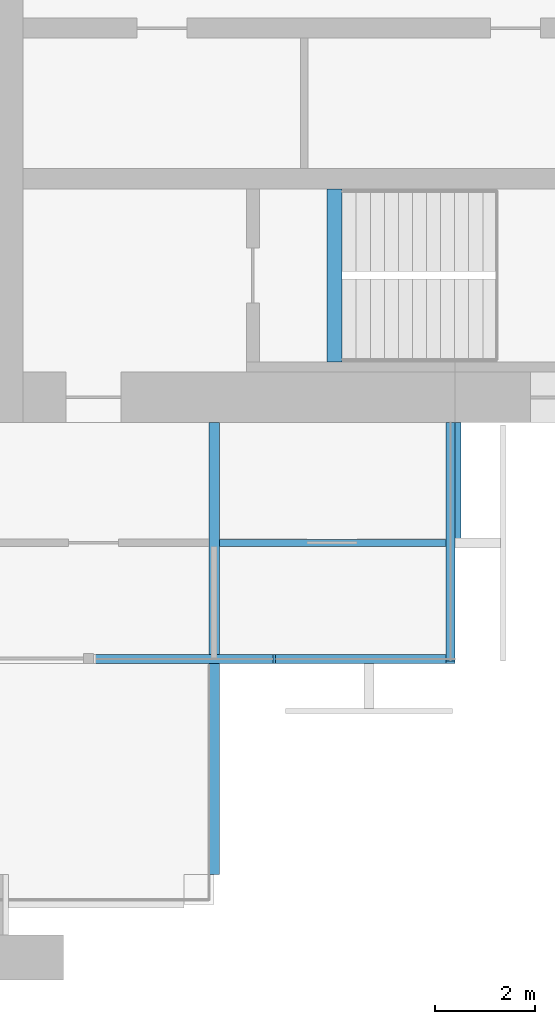
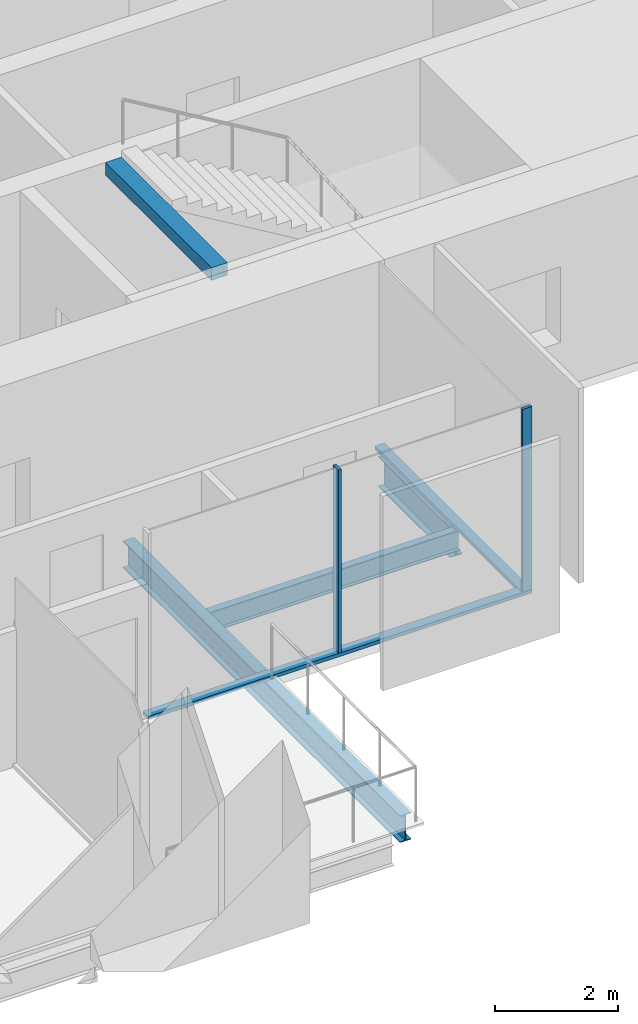
# One storey, part 4 of 13: 4 beams, 4 members, 2 elements without a shape of their own.
"""IFC4 building model written with IfcOpenShell, lengths in metres."""

from ifc_helpers import new_model, si_unit, direction, frame, origin, origin_2d, place, context, subcontext, project, spatial, rectangle, i_section, extrude, material, material_profile, profile_set, type_object, element, aggregate, save


model = new_model("IFC4")

# Units and contexts
model_context = context("Model", 3, precision=1e-05, world=origin(), true_north=direction((0.0, 1.0)))
body_context = subcontext(model_context, "Body", "Model", "MODEL_VIEW")
ifc_project = project(units=[si_unit("LENGTHUNIT", "METRE"), si_unit("AREAUNIT", "SQUARE_METRE"), si_unit("VOLUMEUNIT", "CUBIC_METRE"), si_unit("PLANEANGLEUNIT", "RADIAN"), si_unit("MASSUNIT", "GRAM", prefix="KILO")], contexts=[model_context])

# Site, building, storey
site_placement = place(None, origin())
site = spatial("IfcSite", under=ifc_project, at=site_placement, CompositionType="ELEMENT")
building_placement = place(site_placement, origin())
building = spatial("IfcBuilding", under=site, at=building_placement, Name="Baori Bourse Tower", CompositionType="ELEMENT")
storey_placement = place(building_placement, frame((0.0, 0.0, 172.10009765625)))
storey = spatial("IfcBuildingStorey", under=building, at=storey_placement, Name="L38", CompositionType="ELEMENT", Elevation=172.10009765625)

# Curtain wall, member
ifc_material_1 = material(Name="Pale anodised aluminium", Category="aluminium")
curtain_wall_type = type_object("IfcCurtainWallType", Name="CW2 Curtain wall", PredefinedType="NOTDEFINED", material=ifc_material_1)
curtain_wall_1_placement = place(storey_placement, origin())
curtain_wall_1 = element("IfcCurtainWall", 1, at=curtain_wall_1_placement, inside=storey, type_object=curtain_wall_type, Name="Curtain wall CW2 L38 13", PredefinedType="NOTDEFINED")
ifc_material_2 = material(Name="Pale anodised aluminium", Category="aluminium")
ifc_material_profile_1 = material_profile(ifc_material_2, rectangle(XDim=0.179931640625, YDim=0.054931640625, at=origin_2d()), Name="Mullion 55x180")
ifc_profile_set_1 = profile_set([ifc_material_profile_1], Name="Pale anodised aluminium")
member_type_1 = type_object("IfcMemberType", Name="CW2 Curtain wall mullion", PredefinedType="MULLION", material=ifc_profile_set_1)
member_1_placement = place(storey_placement, frame((44.39990234375, 4.889892578125, 0.06982421875), z_axis=(0.0, 0.0, 1.0), x_axis=(0.0, 1.0, 0.0)))
member_1 = element("IfcMember", 2, at=member_1_placement, type_object=member_type_1, Name="Curtain wall CW2 mullion", PredefinedType="MULLION", context=body_context, shape_type="SweptSolid", body=[
    extrude(rectangle(XDim=0.179931640625, YDim=0.054931640625, at=origin_2d()), origin(), (0.0, 0.0, 1.0), 3.630126953125),
])

curtain_wall_2_placement = place(storey_placement, origin())
curtain_wall_2 = element("IfcCurtainWall", 3, at=curtain_wall_2_placement, inside=storey, type_object=curtain_wall_type, Name="Curtain wall CW2 L38 14", PredefinedType="NOTDEFINED")
member_2_placement = place(storey_placement, frame((47.909912109375, 4.827392578125, 0.06982421875), z_axis=(0.0, 0.0, 1.0), x_axis=(-1.0, 0.0, 0.0)))
member_2 = element("IfcMember", 4, at=member_2_placement, type_object=member_type_1, Name="Curtain wall CW2 mullion", PredefinedType="MULLION", context=body_context, shape_type="SweptSolid", body=[
    extrude(rectangle(XDim=0.179931640625, YDim=0.054931640625, at=origin_2d()), origin(), (0.0, 0.0, 1.0), 3.630126953125),
])

# Member
ifc_material_3 = material(Name="Pale anodised aluminium", Category="aluminium")
ifc_material_profile_2 = material_profile(ifc_material_3, rectangle(XDim=0.179931640625, YDim=0.070068359375, at=origin_2d()), Name="Transom 70x180")
ifc_profile_set_2 = profile_set([ifc_material_profile_2], Name="Pale anodised aluminium")
member_type_2 = type_object("IfcMemberType", Name="CW2 Curtain wall transom", PredefinedType="USERDEFINED", material=ifc_profile_set_2)
member_3_placement = place(storey_placement, frame((40.800048828125, 4.889892578125, 0.034912109375), z_axis=(1.0, 0.0, 0.0), x_axis=(0.0, 1.0, 0.0)))
member_3 = element("IfcMember", 5, at=member_3_placement, type_object=member_type_2, Name="Curtain wall CW2 sill rail", ObjectType="TRANSOM", PredefinedType="USERDEFINED", context=body_context, shape_type="SweptSolid", body=[
    extrude(rectangle(XDim=0.179931640625, YDim=0.070068359375, at=origin_2d()), origin(), (0.0, 0.0, 1.0), 7.199951171875),
])

aggregate(curtain_wall_1, [member_3, member_1])

member_4_placement = place(storey_placement, frame((47.909912109375, 4.800048828125, 0.034912109375), z_axis=(0.0, 1.0, 0.0), x_axis=(-1.0, 0.0, 0.0)))
member_4 = element("IfcMember", 6, at=member_4_placement, type_object=member_type_2, Name="Curtain wall CW2 sill rail", ObjectType="TRANSOM", PredefinedType="USERDEFINED", context=body_context, shape_type="SweptSolid", body=[
    extrude(rectangle(XDim=0.179931640625, YDim=0.070068359375, at=origin_2d()), origin(), (0.0, 0.0, 1.0), 4.800048828125),
])

aggregate(curtain_wall_2, [member_4, member_2])

# Beams
ifc_material_4 = material(Name="Steel A992 Gr 50", Category="steel")
ifc_material_profile_3 = material_profile(ifc_material_4, i_section(OverallWidth=0.227783203125, OverallDepth=0.60205078125, WebThickness=0.010498046875, FlangeThickness=0.014892578125, at=origin_2d()), Name="W24x68")
ifc_profile_set_3 = profile_set([ifc_material_profile_3], Name="Steel A992 Gr 50")
beam_type_1 = type_object("IfcBeamType", Name="Core bracket W24x68", PredefinedType="BEAM", material=ifc_profile_set_3)
beam_1_placement = place(storey_placement, frame((48.0, 7.270263671875, -0.461181640625), z_axis=(0.0, 1.0, 0.0), x_axis=(-1.0, 0.0, 0.0)))
element("IfcBeam", 7, at=beam_1_placement, inside=storey, type_object=beam_type_1, Name="Core bracket L38", PredefinedType="BEAM", context=body_context, shape_type="SweptSolid", body=[
    extrude(i_section(OverallWidth=0.227783203125, OverallDepth=0.60205078125, WebThickness=0.010498046875, FlangeThickness=0.014892578125, at=origin_2d()), origin(), (0.0, 0.0, 1.0), 2.329833984375),
])
ifc_material_5 = material(Name="Steel A992 Gr 50", Category="steel")
ifc_material_profile_4 = material_profile(ifc_material_5, i_section(OverallWidth=0.209228515625, OverallDepth=0.533447265625, WebThickness=0.01025390625, FlangeThickness=0.015625, at=origin_2d()), Name="W21x62")
ifc_profile_set_4 = profile_set([ifc_material_profile_4], Name="Steel A992 Gr 50")
beam_type_2 = type_object("IfcBeamType", Name="Floor beam W21x62", PredefinedType="BEAM", material=ifc_profile_set_4)
beam_2_placement = place(storey_placement, frame((43.199951171875, 0.60009765625, -0.4267578125), z_axis=(0.0, 1.0, 0.0), x_axis=(-1.0, 0.0, 0.0)))
element("IfcBeam", 8, at=beam_2_placement, inside=storey, type_object=beam_type_2, Name="Floor beam L38", PredefinedType="BEAM", context=body_context, shape_type="SweptSolid", body=[
    extrude(i_section(OverallWidth=0.209228515625, OverallDepth=0.533447265625, WebThickness=0.01025390625, FlangeThickness=0.015625, at=origin_2d()), origin(), (0.0, 0.0, 1.0), 9.0),
])
ifc_material_6 = material(Name="Concrete f'c 50 MPa", Category="concrete")
ifc_material_profile_5 = material_profile(ifc_material_6, rectangle(XDim=0.300048828125, YDim=0.25, at=origin_2d()), Name="RC 300x250")
ifc_profile_set_5 = profile_set([ifc_material_profile_5], Name="Concrete f'c 50 MPa")
beam_type_3 = type_object("IfcBeamType", Name="Stair nib beam RC 300x250", PredefinedType="BEAM", material=ifc_profile_set_5)
beam_3_placement = place(storey_placement, frame((45.60009765625, 10.800048828125, 3.574951171875), z_axis=(0.0, 1.0, 0.0), x_axis=(-1.0, 0.0, 0.0)))
element("IfcBeam", 9, at=beam_3_placement, inside=storey, type_object=beam_type_3, Name="Stair EA nib beam L39", PredefinedType="BEAM", context=body_context, shape_type="SweptSolid", body=[
    extrude(rectangle(XDim=0.300048828125, YDim=0.25, at=origin_2d()), origin(), (0.0, 0.0, 1.0), 3.449951171875),
])
ifc_material_7 = material(Name="Steel A992 Gr 50", Category="steel")
ifc_material_profile_6 = material_profile(ifc_material_7, i_section(OverallWidth=0.140380859375, OverallDepth=0.40380859375, WebThickness=0.007080078125, FlangeThickness=0.01123046875, at=origin_2d()), Name="W16x31")
ifc_profile_set_6 = profile_set([ifc_material_profile_6], Name="Steel A992 Gr 50")
beam_type_4 = type_object("IfcBeamType", Name="Trimmer beam W16x31", PredefinedType="BEAM", material=ifc_profile_set_6)
beam_4_placement = place(storey_placement, frame((43.3046875, 7.199951171875, -0.362060546875), z_axis=(1.0, 0.0, 0.0), x_axis=(0.0, 1.0, 0.0)))
element("IfcBeam", 10, at=beam_4_placement, inside=storey, type_object=beam_type_4, Name="Trimmer beam L38", PredefinedType="BEAM", context=body_context, shape_type="SweptSolid", body=[
    extrude(i_section(OverallWidth=0.140380859375, OverallDepth=0.40380859375, WebThickness=0.007080078125, FlangeThickness=0.01123046875, at=origin_2d()), origin(), (0.0, 0.0, 1.0), 4.6953125),
])

save(model, "model.ifc")
